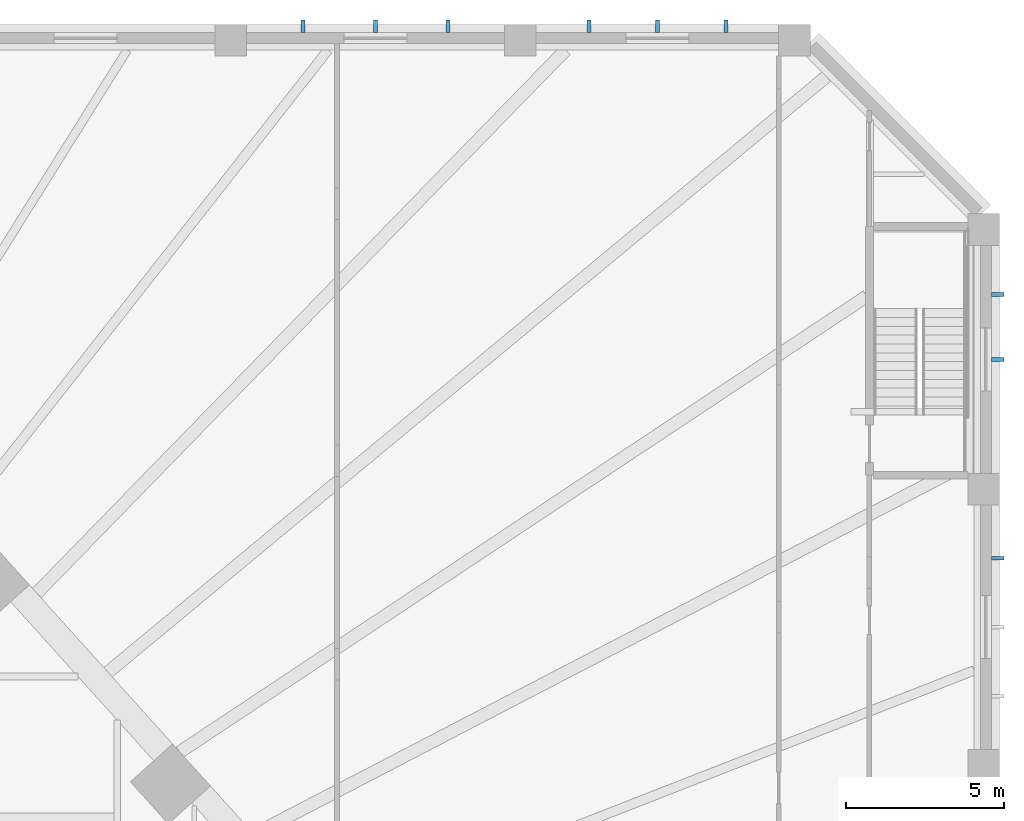
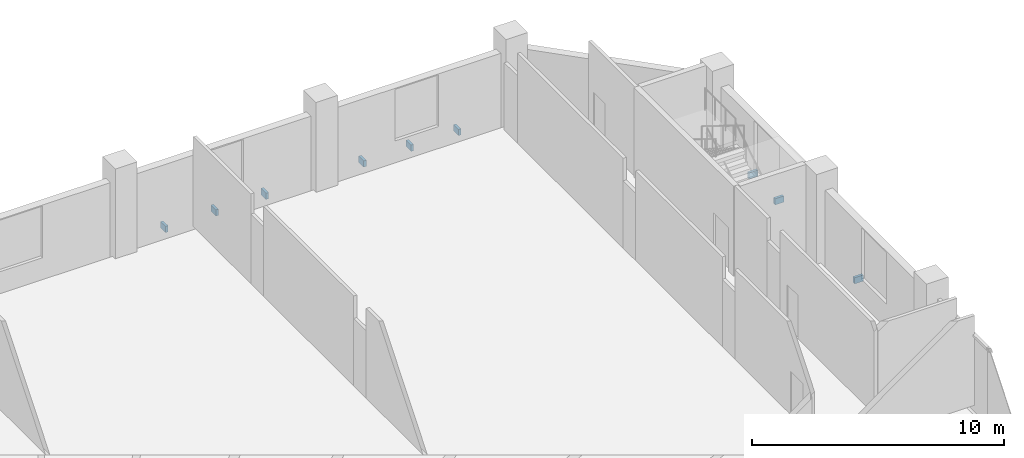
# One storey, part 28 of 33: 9 discrete accessories.
"""IFC4 building model written with IfcOpenShell, lengths in metres."""

from ifc_helpers import new_model, si_unit, direction, frame, origin, origin_2d, place, context, subcontext, project, spatial, rectangle, extrude, material, type_object, element, save


model = new_model("IFC4")

# Units and contexts
model_context = context("Model", 3, precision=1e-05, world=origin(), true_north=direction((0.0, 1.0)))
body_context = subcontext(model_context, "Body", "Model", "MODEL_VIEW")
ifc_project = project(units=[si_unit("LENGTHUNIT", "METRE"), si_unit("AREAUNIT", "SQUARE_METRE"), si_unit("VOLUMEUNIT", "CUBIC_METRE"), si_unit("PLANEANGLEUNIT", "RADIAN"), si_unit("MASSUNIT", "GRAM", prefix="KILO")], contexts=[model_context])

# Site, building, storey
site_placement = place(None, origin())
site = spatial("IfcSite", under=ifc_project, at=site_placement, CompositionType="ELEMENT")
building_placement = place(site_placement, origin())
building = spatial("IfcBuilding", under=site, at=building_placement, Name="Isthmus Gate Tower", CompositionType="ELEMENT")
storey_placement = place(building_placement, frame((0.0, 0.0, 31.5)))
storey = spatial("IfcBuildingStorey", under=building, at=storey_placement, Name="L05", CompositionType="ELEMENT", Elevation=31.5)

# Discrete accessories
ifc_material = material(Name="Structural steel ASTM A572 Gr 50, white paint system", Category="steel")
discrete_accessory_type = type_object("IfcDiscreteAccessoryType", Name="FIN BRACKET 120 X 400 X 300", PredefinedType="BRACKET", material=ifc_material)
for number, where, z_axis, x_axis, name in (
    (1, (51.949951171875, 24.0625, -0.14990234375), (0.0, 0.0, 1.0), (1.0, 0.0, 0.0), "FIN BRACKET"),
    (2, (51.949951171875, 30.375, -0.14990234375), (0.0, 0.0, 1.0), (1.0, 0.0, 0.0), "FIN BRACKET"),
    (3, (51.949951171875, 32.4375, -0.14990234375), (0.0, 0.0, 1.0), (1.0, 0.0, 0.0), "FIN BRACKET"),
    (4, (43.324951171875, 40.949951171875, -0.14990234375), (0.0, 0.0, 1.0), (0.0, 1.0, 0.0), "FIN BRACKET"),
    (5, (41.14990234375, 40.949951171875, -0.14990234375), (0.0, 0.0, 1.0), (0.0, 1.0, 0.0), "FIN BRACKET"),
    (6, (38.97509765625, 40.949951171875, -0.14990234375), (0.0, 0.0, 1.0), (0.0, 1.0, 0.0), "FIN BRACKET"),
    (7, (34.5, 40.949951171875, -0.14990234375), (0.0, 0.0, 1.0), (0.0, 1.0, 0.0), "FIN BRACKET"),
    (8, (32.199951171875, 40.949951171875, -0.14990234375), (0.0, 0.0, 1.0), (0.0, 1.0, 0.0), "FIN BRACKET"),
    (9, (29.89990234375, 40.949951171875, -0.14990234375), (0.0, 0.0, 1.0), (0.0, 1.0, 0.0), "FIN BRACKET"),
):
    element("IfcDiscreteAccessory", number, at=place(storey_placement, frame(where, z_axis=z_axis, x_axis=x_axis)), inside=storey, type_object=discrete_accessory_type, Name=name, PredefinedType="BRACKET", context=body_context, shape_type="SweptSolid", body=[
        extrude(rectangle(XDim=0.39990234375, YDim=0.1201171875, at=origin_2d()), origin(), (0.0, 0.0, 1.0), 0.300048828125),
    ])

save(model, "model.ifc")
